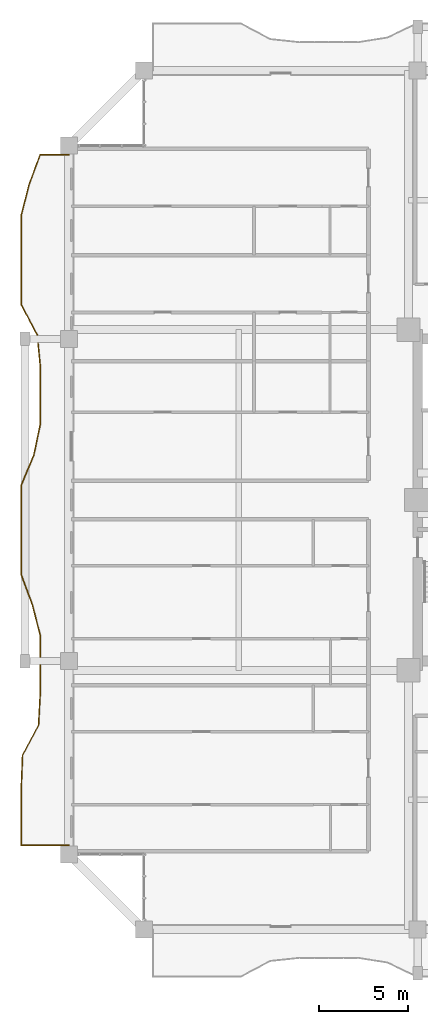
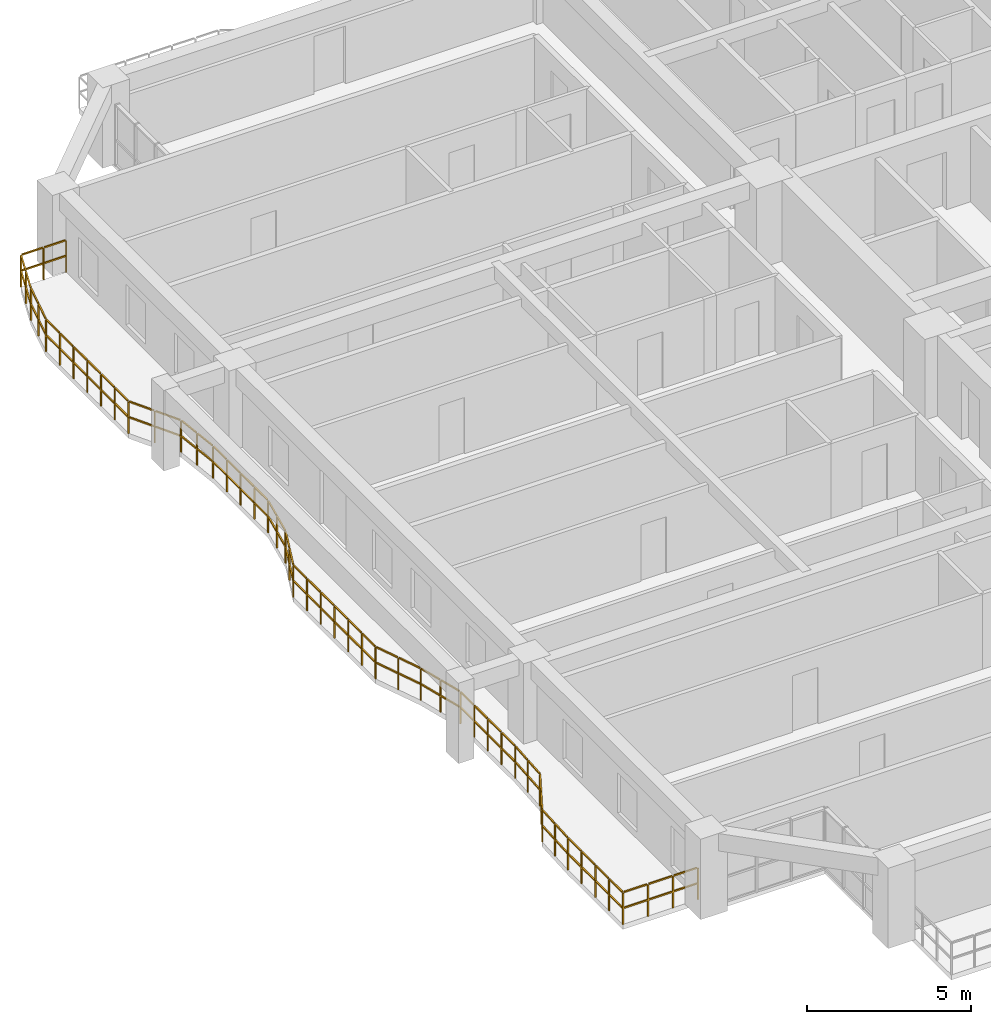
# One storey, part 23 of 26: 1 railing.
"""IFC4 building model written with IfcOpenShell, lengths in metres."""

import ifcopenshell
import ifcopenshell.guid

model = None  # the IFC model being written
_history = None  # IfcOwnerHistory: only IFC2X3 demands one
_inside = {}  # id of a spatial element -> (the spatial element, [elements in it])
_under = {}  # id of a project, library or spatial element -> (it, [spatial elements below it])
_declared = {}  # id of a project -> (the project, [libraries it declares])
_typed = {}  # id of a type object -> (the type object, [elements of that type])
_made_of = {}  # id of a material, layer set ... -> (it, [elements and type objects made of it])


def new_model(schema):
    """Start an empty IFC model of exactly this schema.

    Asked for "IFC4X3", IfcOpenShell would pick the latest addendum, in which some entities
    have other attributes; the version numbers below select the first issue.
    IFC2X3 requires an IfcOwnerHistory on every rooted entity: one is made here for all.
    """
    global model, _history
    if schema == "IFC4X3":
        model = ifcopenshell.file(schema_version=(4, 3, 0, 0))
    else:
        model = ifcopenshell.file(schema=schema)
    _inside.clear()
    _under.clear()
    _declared.clear()
    _typed.clear()
    _made_of.clear()
    _history = None
    if model.schema == "IFC2X3":
        org = make("IfcOrganization", Name="unknown")
        user = make(
            "IfcPersonAndOrganization",
            ThePerson=make("IfcPerson", FamilyName="unknown"),
            TheOrganization=org,
        )
        app = make(
            "IfcApplication",
            ApplicationDeveloper=org,
            Version="unknown",
            ApplicationFullName="unknown",
            ApplicationIdentifier="unknown",
        )
        _history = make(
            "IfcOwnerHistory",
            OwningUser=user,
            OwningApplication=app,
            ChangeAction="ADDED",
            CreationDate=0,
        )
    return model


def make(cls, **values):
    """One entity of the class cls with the attributes given. An attribute that is None is left unset."""
    return model.create_entity(
        cls, **{name: value for name, value in values.items() if value is not None}
    )


def rooted(cls, **values):
    """An entity with a GlobalId (a new one), such as an element, a storey or a relation."""
    return make(cls, GlobalId=ifcopenshell.guid.new(), OwnerHistory=_history, **values)


def si_unit(unit_type, name, prefix=None):
    """IfcSIUnit, for example si_unit("LENGTHUNIT", "METRE", prefix="MILLI")."""
    return make("IfcSIUnit", UnitType=unit_type, Prefix=prefix, Name=name)


def assignment(units):
    """IfcUnitAssignment: the units of a project."""
    return None if units is None else make("IfcUnitAssignment", Units=units)


def point(xyz):
    """IfcCartesianPoint."""
    return None if xyz is None else make("IfcCartesianPoint", Coordinates=xyz)


def direction(xyz):
    """IfcDirection."""
    return None if xyz is None else make("IfcDirection", DirectionRatios=xyz)


def frame(location, z_axis=None, x_axis=None):
    """IfcAxis2Placement3D, a coordinate frame: its origin and axes. An axis left out is left unset."""
    return make(
        "IfcAxis2Placement3D",
        Location=point(location),
        Axis=direction(z_axis),
        RefDirection=direction(x_axis),
    )


def frame_2d(location, x_axis=None):
    """IfcAxis2Placement2D, a coordinate frame in the plane: its origin and x axis."""
    return make(
        "IfcAxis2Placement2D", Location=point(location), RefDirection=direction(x_axis)
    )


def origin():
    """The frame at (0, 0, 0) with its axes left unset."""
    return frame((0.0, 0.0, 0.0))


def origin_2d():
    """The frame at (0, 0) in the plane with its x axis left unset."""
    return frame_2d((0.0, 0.0))


def place(relative_to, where):
    """IfcLocalPlacement: puts the frame where relative to a parent placement (None: the world)."""
    return make(
        "IfcLocalPlacement", PlacementRelTo=relative_to, RelativePlacement=where
    )


def context(
    kind, dimensions, precision=None, world=None, true_north=None, identifier=None
):
    """IfcGeometricRepresentationContext, for example the 3D "Model" context."""
    return make(
        "IfcGeometricRepresentationContext",
        ContextIdentifier=identifier,
        ContextType=kind,
        CoordinateSpaceDimension=dimensions,
        Precision=precision,
        WorldCoordinateSystem=world,
        TrueNorth=true_north,
    )


def subcontext(parent, identifier, kind, view, scale=None):
    """IfcGeometricRepresentationSubContext, for example "Body" below "Model"."""
    return make(
        "IfcGeometricRepresentationSubContext",
        ContextIdentifier=identifier,
        ContextType=kind,
        ParentContext=parent,
        TargetScale=scale,
        TargetView=view,
    )


def project(units=None, contexts=None):
    """IfcProject with its units and contexts."""
    return rooted(
        "IfcProject",
        Name="project",
        RepresentationContexts=contexts,
        UnitsInContext=assignment(units),
    )


def spatial(cls, under=None, at=None, **own):
    """A site, building, storey or space (cls), placed at a placement, below another one or the project."""
    s = rooted(cls, ObjectPlacement=at, **own)
    if under is not None:
        _under.setdefault(under.id(), (under, []))[1].append(s)
    return s


def profile(cls, at=None, kind="AREA", **sizes):
    """A parametric profile (cls). Its sizes go by their IFC names, for example OverallWidth=200.0."""
    return make(cls, ProfileType=kind, Position=at, **sizes)


def rectangle(**sizes):
    """IfcRectangleProfileDef."""
    return profile("IfcRectangleProfileDef", **sizes)


def extrude(swept, where, along, depth):
    """IfcExtrudedAreaSolid: the profile swept, set in the frame where, extruded along a direction by depth."""
    return make(
        "IfcExtrudedAreaSolid",
        SweptArea=swept,
        Position=where,
        ExtrudedDirection=direction(along),
        Depth=depth,
    )


def shape(context_of_items, identifier, shape_type, items):
    """IfcShapeRepresentation: the items that make up one representation, for example the "Body"."""
    return make(
        "IfcShapeRepresentation",
        ContextOfItems=context_of_items,
        RepresentationIdentifier=identifier,
        RepresentationType=shape_type,
        Items=items,
    )


def material(Name=None, Category=None):
    """IfcMaterial."""
    return make("IfcMaterial", Name=Name, Category=Category)


def made_of(thing, what):
    """Note that an element or type object is made of a material, layer set ...; save() writes the relation."""
    if what is not None:
        _made_of.setdefault(what.id(), (what, []))[1].append(thing)
    return thing


def type_object(cls, material=None, **own):
    """A type object (cls), such as IfcWallType, which elements share."""
    return made_of(rooted(cls, **own), material)


def element(
    cls,
    number,
    at=None,
    inside=None,
    cuts=None,
    type_object=None,
    material=None,
    context=None,
    identifier="Body",
    shape_type=None,
    held_by="IfcProductDefinitionShape",
    body=None,
    shapes=None,
    **own,
):
    """One element of the class cls, such as IfcWall. Its Tag is "e" and its number.

    at: its placement. inside: the storey or other place that contains it. cuts: it is an
    opening in that element (IfcRelVoidsElement). A single representation is given by context,
    identifier, shape_type and body (its items); several are given by shapes. held_by: the class
    of the entity that holds the representations. save() writes the other relations.
    """
    e = rooted(cls, Tag="e%d" % number, ObjectPlacement=at, **own)
    if body is not None:
        shapes = [shape(context, identifier, shape_type, body)]
    if shapes is not None:
        e.Representation = make(held_by, Representations=shapes)
    if inside is not None:
        _inside.setdefault(inside.id(), (inside, []))[1].append(e)
    if cuts is not None:
        rooted(
            "IfcRelVoidsElement", RelatingBuildingElement=cuts, RelatedOpeningElement=e
        )
    if type_object is not None:
        _typed.setdefault(type_object.id(), (type_object, []))[1].append(e)
    return made_of(e, material)


def aggregate(whole, parts):
    """IfcRelAggregates: a whole, such as a stair, and the parts it consists of."""
    return rooted("IfcRelAggregates", RelatingObject=whole, RelatedObjects=parts)


def save(model, path):
    """Write the relations noted so far, then the file.

    IfcRelAggregates (storeys below a building ...), IfcRelContainedInSpatialStructure (elements
    in a storey), IfcRelDefinesByType, IfcRelAssociatesMaterial and IfcRelDeclares: one each for
    every whole, place, type object, material and project.
    """
    for whole, parts in _under.values():
        aggregate(whole, parts)
    for where, things in _inside.values():
        rooted(
            "IfcRelContainedInSpatialStructure",
            RelatedElements=things,
            RelatingStructure=where,
        )
    for kind, things in _typed.values():
        rooted("IfcRelDefinesByType", RelatedObjects=things, RelatingType=kind)
    for what, things in _made_of.values():
        rooted("IfcRelAssociatesMaterial", RelatedObjects=things, RelatingMaterial=what)
    for by, libraries in _declared.values():
        rooted("IfcRelDeclares", RelatingContext=by, RelatedDefinitions=libraries)
    model.write(path)


model = new_model("IFC4")

# Units and contexts
model_context = context("Model", 3, precision=1e-05, world=origin(), true_north=direction((0.0, 1.0)))
body_context = subcontext(model_context, "Body", "Model", "MODEL_VIEW")
ifc_project = project(units=[si_unit("LENGTHUNIT", "METRE"), si_unit("AREAUNIT", "SQUARE_METRE"), si_unit("VOLUMEUNIT", "CUBIC_METRE"), si_unit("PLANEANGLEUNIT", "RADIAN"), si_unit("MASSUNIT", "GRAM", prefix="KILO")], contexts=[model_context])

# Site, building, storey
site_placement = place(None, origin())
site = spatial("IfcSite", under=ifc_project, at=site_placement, CompositionType="ELEMENT")
building_placement = place(site_placement, origin())
building = spatial("IfcBuilding", under=site, at=building_placement, Name="Saelheon Loggia Tower", CompositionType="ELEMENT")
storey_placement = place(building_placement, frame((0.0, 0.0, 116.85009765625)))
storey = spatial("IfcBuildingStorey", under=building, at=storey_placement, Name="L37", CompositionType="ELEMENT", Elevation=116.85009765625)

# Railing
ifc_material = material(Name="Architectural Precast Concrete and Laminated Glass Guard", Category="concrete")
railing_type = type_object("IfcRailingType", Name="Guard_Loggia_RL_LOG", PredefinedType="BALUSTRADE", material=ifc_material)
railing_placement = place(storey_placement, frame((12.0, 46.300048828125, 0.0)))
element("IfcRailing", 1, at=railing_placement, inside=storey, type_object=railing_type, Name="L37 West Loggia Balustrade", PredefinedType="BALUSTRADE", context=body_context, shape_type="SweptSolid", body=[
    extrude(rectangle(XDim=0.048095703125, YDim=0.048095703125, at=origin_2d()), frame((-0.033203125, 0.0, 1.19580078125), z_axis=(-1.0, 0.0, 0.0), x_axis=(0.0, -1.0, 0.0)), (0.0, 0.0, 1.0), 0.733642578125),
    extrude(rectangle(XDim=0.048095703125, YDim=0.048095703125, at=origin_2d()), frame((-0.033203125, 0.0, 0.60986328125), z_axis=(-1.0, 0.0, 0.0), x_axis=(0.0, -1.0, 0.0)), (0.0, 0.0, 1.0), 0.733642578125),
    extrude(rectangle(XDim=0.048095703125, YDim=0.048095703125, at=origin_2d()), frame((-0.833251953125, 0.0, 1.19580078125), z_axis=(-1.0, 0.0, 0.0), x_axis=(0.0, -1.0, 0.0)), (0.0, 0.0, 1.0), 0.733642578125),
    extrude(rectangle(XDim=0.048095703125, YDim=0.048095703125, at=origin_2d()), frame((-0.833251953125, 0.0, 0.60986328125), z_axis=(-1.0, 0.0, 0.0), x_axis=(0.0, -1.0, 0.0)), (0.0, 0.0, 1.0), 0.733642578125),
    extrude(rectangle(XDim=0.048095703125, YDim=0.048095703125, at=origin_2d()), frame((-1.611572265625, -0.03125, 1.19580078125), z_axis=(-0.346318659518, -0.938116936245, 0.0), x_axis=(0.938116936245, -0.346318659518, 0.0)), (0.0, 0.0, 1.0), 0.828125),
    extrude(rectangle(XDim=0.048095703125, YDim=0.048095703125, at=origin_2d()), frame((-1.611572265625, -0.03125, 0.60986328125), z_axis=(-0.346318659518, -0.938116936245, 0.0), x_axis=(0.938116936245, -0.346318659518, 0.0)), (0.0, 0.0, 1.0), 0.828125),
    extrude(rectangle(XDim=0.048095703125, YDim=0.048095703125, at=origin_2d()), frame((-1.92138671875, -0.870361328125, 1.19580078125), z_axis=(-0.346318659518, -0.938116936245, 0.0), x_axis=(0.938116936245, -0.346318659518, 0.0)), (0.0, 0.0, 1.0), 0.828125),
    extrude(rectangle(XDim=0.048095703125, YDim=0.048095703125, at=origin_2d()), frame((-1.92138671875, -0.870361328125, 0.60986328125), z_axis=(-0.346318659518, -0.938116936245, 0.0), x_axis=(0.938116936245, -0.346318659518, 0.0)), (0.0, 0.0, 1.0), 0.828125),
    extrude(rectangle(XDim=0.048095703125, YDim=0.048095703125, at=origin_2d()), frame((-2.22802734375, -1.710693359375, 1.19580078125), z_axis=(-0.248334659432, -0.968674298681, 0.0), x_axis=(0.968674298681, -0.248334659432, 0.0)), (0.0, 0.0, 1.0), 0.799560546875),
    extrude(rectangle(XDim=0.048095703125, YDim=0.048095703125, at=origin_2d()), frame((-2.22802734375, -1.710693359375, 0.60986328125), z_axis=(-0.248334659432, -0.968674298681, 0.0), x_axis=(0.968674298681, -0.248334659432, 0.0)), (0.0, 0.0, 1.0), 0.799560546875),
    extrude(rectangle(XDim=0.048095703125, YDim=0.048095703125, at=origin_2d()), frame((-2.443115234375, -2.549560546875, 1.19580078125), z_axis=(-0.248334659432, -0.968674298681, 0.0), x_axis=(0.968674298681, -0.248334659432, 0.0)), (0.0, 0.0, 1.0), 0.799560546875),
    extrude(rectangle(XDim=0.048095703125, YDim=0.048095703125, at=origin_2d()), frame((-2.443115234375, -2.549560546875, 0.60986328125), z_axis=(-0.248334659432, -0.968674298681, 0.0), x_axis=(0.968674298681, -0.248334659432, 0.0)), (0.0, 0.0, 1.0), 0.799560546875),
    extrude(rectangle(XDim=0.048095703125, YDim=0.048095703125, at=origin_2d()), frame((-2.64990234375, -3.3896484375, 1.19580078125), z_axis=(0.0, -1.0, 0.0), x_axis=(1.0, 0.0, 0.0)), (0.0, 0.0, 1.0), 0.772705078125),
    extrude(rectangle(XDim=0.048095703125, YDim=0.048095703125, at=origin_2d()), frame((-2.64990234375, -3.3896484375, 0.60986328125), z_axis=(0.0, -1.0, 0.0), x_axis=(1.0, 0.0, 0.0)), (0.0, 0.0, 1.0), 0.772705078125),
    extrude(rectangle(XDim=0.048095703125, YDim=0.048095703125, at=origin_2d()), frame((-2.64990234375, -4.22900390625, 1.19580078125), z_axis=(0.0, -1.0, 0.0), x_axis=(1.0, 0.0, 0.0)), (0.0, 0.0, 1.0), 0.772705078125),
    extrude(rectangle(XDim=0.048095703125, YDim=0.048095703125, at=origin_2d()), frame((-2.64990234375, -4.22900390625, 0.60986328125), z_axis=(0.0, -1.0, 0.0), x_axis=(1.0, 0.0, 0.0)), (0.0, 0.0, 1.0), 0.772705078125),
    extrude(rectangle(XDim=0.048095703125, YDim=0.048095703125, at=origin_2d()), frame((-2.64990234375, -5.068115234375, 1.19580078125), z_axis=(0.0, -1.0, 0.0), x_axis=(1.0, 0.0, 0.0)), (0.0, 0.0, 1.0), 0.772705078125),
    extrude(rectangle(XDim=0.048095703125, YDim=0.048095703125, at=origin_2d()), frame((-2.64990234375, -5.068115234375, 0.60986328125), z_axis=(0.0, -1.0, 0.0), x_axis=(1.0, 0.0, 0.0)), (0.0, 0.0, 1.0), 0.772705078125),
    extrude(rectangle(XDim=0.048095703125, YDim=0.048095703125, at=origin_2d()), frame((-2.64990234375, -5.9072265625, 1.19580078125), z_axis=(0.0, -1.0, 0.0), x_axis=(1.0, 0.0, 0.0)), (0.0, 0.0, 1.0), 0.772705078125),
    extrude(rectangle(XDim=0.048095703125, YDim=0.048095703125, at=origin_2d()), frame((-2.64990234375, -5.9072265625, 0.60986328125), z_axis=(0.0, -1.0, 0.0), x_axis=(1.0, 0.0, 0.0)), (0.0, 0.0, 1.0), 0.772705078125),
    extrude(rectangle(XDim=0.048095703125, YDim=0.048095703125, at=origin_2d()), frame((-2.64990234375, -6.746337890625, 1.19580078125), z_axis=(0.0, -1.0, 0.0), x_axis=(1.0, 0.0, 0.0)), (0.0, 0.0, 1.0), 0.772705078125),
    extrude(rectangle(XDim=0.048095703125, YDim=0.048095703125, at=origin_2d()), frame((-2.64990234375, -6.746337890625, 0.60986328125), z_axis=(0.0, -1.0, 0.0), x_axis=(1.0, 0.0, 0.0)), (0.0, 0.0, 1.0), 0.772705078125),
    extrude(rectangle(XDim=0.048095703125, YDim=0.048095703125, at=origin_2d()), frame((-2.64990234375, -7.58544921875, 1.19580078125), z_axis=(0.0, -1.0, 0.0), x_axis=(1.0, 0.0, 0.0)), (0.0, 0.0, 1.0), 0.772705078125),
    extrude(rectangle(XDim=0.048095703125, YDim=0.048095703125, at=origin_2d()), frame((-2.64990234375, -7.58544921875, 0.60986328125), z_axis=(0.0, -1.0, 0.0), x_axis=(1.0, 0.0, 0.0)), (0.0, 0.0, 1.0), 0.772705078125),
    extrude(rectangle(XDim=0.048095703125, YDim=0.048095703125, at=origin_2d()), frame((-2.63427734375, -8.420654296875, 1.19580078125), z_axis=(0.466764209915, -0.884381802358, 0.0), x_axis=(0.884381802358, 0.466764209915, 0.0)), (0.0, 0.0, 1.0), 0.88232421875),
    extrude(rectangle(XDim=0.048095703125, YDim=0.048095703125, at=origin_2d()), frame((-2.63427734375, -8.420654296875, 0.60986328125), z_axis=(0.466764209915, -0.884381802358, 0.0), x_axis=(0.884381802358, 0.466764209915, 0.0)), (0.0, 0.0, 1.0), 0.88232421875),
    extrude(rectangle(XDim=0.048095703125, YDim=0.048095703125, at=origin_2d()), frame((-2.19140625, -9.259765625, 1.19580078125), z_axis=(0.466764209915, -0.884381802358, 0.0), x_axis=(0.884381802358, 0.466764209915, 0.0)), (0.0, 0.0, 1.0), 0.88232421875),
    extrude(rectangle(XDim=0.048095703125, YDim=0.048095703125, at=origin_2d()), frame((-2.19140625, -9.259765625, 0.60986328125), z_axis=(0.466764209915, -0.884381802358, 0.0), x_axis=(0.884381802358, 0.466764209915, 0.0)), (0.0, 0.0, 1.0), 0.88232421875),
    extrude(rectangle(XDim=0.048095703125, YDim=0.048095703125, at=origin_2d()), frame((-1.760986328125, -10.1025390625, 1.19580078125), z_axis=(0.097295853683, -0.995255503304, 0.0), x_axis=(0.995255503304, 0.097295853683, 0.0)), (0.0, 0.0, 1.0), 0.776611328125),
    extrude(rectangle(XDim=0.048095703125, YDim=0.048095703125, at=origin_2d()), frame((-1.760986328125, -10.1025390625, 0.60986328125), z_axis=(0.097295853683, -0.995255503304, 0.0), x_axis=(0.995255503304, 0.097295853683, 0.0)), (0.0, 0.0, 1.0), 0.776611328125),
    extrude(rectangle(XDim=0.048095703125, YDim=0.048095703125, at=origin_2d()), frame((-1.678955078125, -10.941650390625, 1.19580078125), z_axis=(0.097295853683, -0.995255503304, 0.0), x_axis=(0.995255503304, 0.097295853683, 0.0)), (0.0, 0.0, 1.0), 0.776611328125),
    extrude(rectangle(XDim=0.048095703125, YDim=0.048095703125, at=origin_2d()), frame((-1.678955078125, -10.941650390625, 0.60986328125), z_axis=(0.097295853683, -0.995255503304, 0.0), x_axis=(0.995255503304, 0.097295853683, 0.0)), (0.0, 0.0, 1.0), 0.776611328125),
    extrude(rectangle(XDim=0.048095703125, YDim=0.048095703125, at=origin_2d()), frame((-1.60009765625, -11.781005859375, 1.19580078125), z_axis=(0.0, -1.0, 0.0), x_axis=(1.0, 0.0, 0.0)), (0.0, 0.0, 1.0), 0.772705078125),
    extrude(rectangle(XDim=0.048095703125, YDim=0.048095703125, at=origin_2d()), frame((-1.60009765625, -11.781005859375, 0.60986328125), z_axis=(0.0, -1.0, 0.0), x_axis=(1.0, 0.0, 0.0)), (0.0, 0.0, 1.0), 0.772705078125),
    extrude(rectangle(XDim=0.048095703125, YDim=0.048095703125, at=origin_2d()), frame((-1.60009765625, -12.620361328125, 1.19580078125), z_axis=(0.0, -1.0, 0.0), x_axis=(1.0, 0.0, 0.0)), (0.0, 0.0, 1.0), 0.772705078125),
    extrude(rectangle(XDim=0.048095703125, YDim=0.048095703125, at=origin_2d()), frame((-1.60009765625, -12.620361328125, 0.60986328125), z_axis=(0.0, -1.0, 0.0), x_axis=(1.0, 0.0, 0.0)), (0.0, 0.0, 1.0), 0.772705078125),
    extrude(rectangle(XDim=0.048095703125, YDim=0.048095703125, at=origin_2d()), frame((-1.60009765625, -13.45947265625, 1.19580078125), z_axis=(0.0, -1.0, 0.0), x_axis=(1.0, 0.0, 0.0)), (0.0, 0.0, 1.0), 0.7724609375),
    extrude(rectangle(XDim=0.048095703125, YDim=0.048095703125, at=origin_2d()), frame((-1.60009765625, -13.45947265625, 0.60986328125), z_axis=(0.0, -1.0, 0.0), x_axis=(1.0, 0.0, 0.0)), (0.0, 0.0, 1.0), 0.7724609375),
    extrude(rectangle(XDim=0.048095703125, YDim=0.048095703125, at=origin_2d()), frame((-1.60009765625, -14.298583984375, 1.19580078125), z_axis=(0.0, -1.0, 0.0), x_axis=(1.0, 0.0, 0.0)), (0.0, 0.0, 1.0), 0.7724609375),
    extrude(rectangle(XDim=0.048095703125, YDim=0.048095703125, at=origin_2d()), frame((-1.60009765625, -14.298583984375, 0.60986328125), z_axis=(0.0, -1.0, 0.0), x_axis=(1.0, 0.0, 0.0)), (0.0, 0.0, 1.0), 0.7724609375),
    extrude(rectangle(XDim=0.048095703125, YDim=0.048095703125, at=origin_2d()), frame((-1.60693359375, -15.13671875, 1.19580078125), z_axis=(-0.204596686386, -0.978846359711, 0.0), x_axis=(0.978846359711, -0.204596686386, 0.0)), (0.0, 0.0, 1.0), 0.791015625),
    extrude(rectangle(XDim=0.048095703125, YDim=0.048095703125, at=origin_2d()), frame((-1.60693359375, -15.13671875, 0.60986328125), z_axis=(-0.204596686386, -0.978846359711, 0.0), x_axis=(0.978846359711, -0.204596686386, 0.0)), (0.0, 0.0, 1.0), 0.791015625),
    extrude(rectangle(XDim=0.048095703125, YDim=0.048095703125, at=origin_2d()), frame((-1.7822265625, -15.97607421875, 1.19580078125), z_axis=(-0.204596686386, -0.978846359711, 0.0), x_axis=(0.978846359711, -0.204596686386, 0.0)), (0.0, 0.0, 1.0), 0.791015625),
    extrude(rectangle(XDim=0.048095703125, YDim=0.048095703125, at=origin_2d()), frame((-1.7822265625, -15.97607421875, 0.60986328125), z_axis=(-0.204596686386, -0.978846359711, 0.0), x_axis=(0.978846359711, -0.204596686386, 0.0)), (0.0, 0.0, 1.0), 0.791015625),
    extrude(rectangle(XDim=0.048095703125, YDim=0.048095703125, at=origin_2d()), frame((-1.963623046875, -16.8134765625, 1.19580078125), z_axis=(-0.384481881871, -0.923132537891, 0.0), x_axis=(0.923132537891, -0.384481881871, 0.0)), (0.0, 0.0, 1.0), 0.842529296875),
    extrude(rectangle(XDim=0.048095703125, YDim=0.048095703125, at=origin_2d()), frame((-1.963623046875, -16.8134765625, 0.60986328125), z_axis=(-0.384481881871, -0.923132537891, 0.0), x_axis=(0.923132537891, -0.384481881871, 0.0)), (0.0, 0.0, 1.0), 0.842529296875),
    extrude(rectangle(XDim=0.048095703125, YDim=0.048095703125, at=origin_2d()), frame((-2.313232421875, -17.652587890625, 1.19580078125), z_axis=(-0.384481881871, -0.923132537891, 0.0), x_axis=(0.923132537891, -0.384481881871, 0.0)), (0.0, 0.0, 1.0), 0.842529296875),
    extrude(rectangle(XDim=0.048095703125, YDim=0.048095703125, at=origin_2d()), frame((-2.313232421875, -17.652587890625, 0.60986328125), z_axis=(-0.384481881871, -0.923132537891, 0.0), x_axis=(0.923132537891, -0.384481881871, 0.0)), (0.0, 0.0, 1.0), 0.842529296875),
    extrude(rectangle(XDim=0.048095703125, YDim=0.048095703125, at=origin_2d()), frame((-2.64990234375, -18.494140625, 1.19580078125), z_axis=(0.0, -1.0, 0.0), x_axis=(1.0, 0.0, 0.0)), (0.0, 0.0, 1.0), 0.772705078125),
    extrude(rectangle(XDim=0.048095703125, YDim=0.048095703125, at=origin_2d()), frame((-2.64990234375, -18.494140625, 0.60986328125), z_axis=(0.0, -1.0, 0.0), x_axis=(1.0, 0.0, 0.0)), (0.0, 0.0, 1.0), 0.772705078125),
    extrude(rectangle(XDim=0.048095703125, YDim=0.048095703125, at=origin_2d()), frame((-2.64990234375, -19.333251953125, 1.19580078125), z_axis=(0.0, -1.0, 0.0), x_axis=(1.0, 0.0, 0.0)), (0.0, 0.0, 1.0), 0.772705078125),
    extrude(rectangle(XDim=0.048095703125, YDim=0.048095703125, at=origin_2d()), frame((-2.64990234375, -19.333251953125, 0.60986328125), z_axis=(0.0, -1.0, 0.0), x_axis=(1.0, 0.0, 0.0)), (0.0, 0.0, 1.0), 0.772705078125),
    extrude(rectangle(XDim=0.048095703125, YDim=0.048095703125, at=origin_2d()), frame((-2.64990234375, -20.17236328125, 1.19580078125), z_axis=(0.0, -1.0, 0.0), x_axis=(1.0, 0.0, 0.0)), (0.0, 0.0, 1.0), 0.772705078125),
    extrude(rectangle(XDim=0.048095703125, YDim=0.048095703125, at=origin_2d()), frame((-2.64990234375, -20.17236328125, 0.60986328125), z_axis=(0.0, -1.0, 0.0), x_axis=(1.0, 0.0, 0.0)), (0.0, 0.0, 1.0), 0.772705078125),
    extrude(rectangle(XDim=0.048095703125, YDim=0.048095703125, at=origin_2d()), frame((-2.64990234375, -21.011474609375, 1.19580078125), z_axis=(0.0, -1.0, 0.0), x_axis=(1.0, 0.0, 0.0)), (0.0, 0.0, 1.0), 0.772705078125),
    extrude(rectangle(XDim=0.048095703125, YDim=0.048095703125, at=origin_2d()), frame((-2.64990234375, -21.011474609375, 0.60986328125), z_axis=(0.0, -1.0, 0.0), x_axis=(1.0, 0.0, 0.0)), (0.0, 0.0, 1.0), 0.772705078125),
    extrude(rectangle(XDim=0.048095703125, YDim=0.048095703125, at=origin_2d()), frame((-2.64990234375, -21.8505859375, 1.19580078125), z_axis=(0.0, -1.0, 0.0), x_axis=(1.0, 0.0, 0.0)), (0.0, 0.0, 1.0), 0.772705078125),
    extrude(rectangle(XDim=0.048095703125, YDim=0.048095703125, at=origin_2d()), frame((-2.64990234375, -21.8505859375, 0.60986328125), z_axis=(0.0, -1.0, 0.0), x_axis=(1.0, 0.0, 0.0)), (0.0, 0.0, 1.0), 0.772705078125),
    extrude(rectangle(XDim=0.048095703125, YDim=0.048095703125, at=origin_2d()), frame((-2.64990234375, -22.68994140625, 1.19580078125), z_axis=(0.0, -1.0, 0.0), x_axis=(1.0, 0.0, 0.0)), (0.0, 0.0, 1.0), 0.772705078125),
    extrude(rectangle(XDim=0.048095703125, YDim=0.048095703125, at=origin_2d()), frame((-2.64990234375, -22.68994140625, 0.60986328125), z_axis=(0.0, -1.0, 0.0), x_axis=(1.0, 0.0, 0.0)), (0.0, 0.0, 1.0), 0.772705078125),
    extrude(rectangle(XDim=0.048095703125, YDim=0.048095703125, at=origin_2d()), frame((-2.638427734375, -23.527099609375, 1.19580078125), z_axis=(0.347367679111, -0.937729009634, 0.0), x_axis=(0.937729009634, 0.347367679111, 0.0)), (0.0, 0.0, 1.0), 0.828125),
    extrude(rectangle(XDim=0.048095703125, YDim=0.048095703125, at=origin_2d()), frame((-2.638427734375, -23.527099609375, 0.60986328125), z_axis=(0.347367679111, -0.937729009634, 0.0), x_axis=(0.937729009634, 0.347367679111, 0.0)), (0.0, 0.0, 1.0), 0.828125),
    extrude(rectangle(XDim=0.048095703125, YDim=0.048095703125, at=origin_2d()), frame((-2.32763671875, -24.365966796875, 1.19580078125), z_axis=(0.347367679111, -0.937729009634, 0.0), x_axis=(0.937729009634, 0.347367679111, 0.0)), (0.0, 0.0, 1.0), 0.828125),
    extrude(rectangle(XDim=0.048095703125, YDim=0.048095703125, at=origin_2d()), frame((-2.32763671875, -24.365966796875, 0.60986328125), z_axis=(0.347367679111, -0.937729009634, 0.0), x_axis=(0.937729009634, 0.347367679111, 0.0)), (0.0, 0.0, 1.0), 0.828125),
    extrude(rectangle(XDim=0.048095703125, YDim=0.048095703125, at=origin_2d()), frame((-2.02001953125, -25.2060546875, 1.19580078125), z_axis=(0.247208698516, -0.968962259006, 0.0), x_axis=(0.968962259006, 0.247208698516, 0.0)), (0.0, 0.0, 1.0), 0.799560546875),
    extrude(rectangle(XDim=0.048095703125, YDim=0.048095703125, at=origin_2d()), frame((-2.02001953125, -25.2060546875, 0.60986328125), z_axis=(0.247208698516, -0.968962259006, 0.0), x_axis=(0.968962259006, 0.247208698516, 0.0)), (0.0, 0.0, 1.0), 0.799560546875),
    extrude(rectangle(XDim=0.048095703125, YDim=0.048095703125, at=origin_2d()), frame((-1.805908203125, -26.045166015625, 1.19580078125), z_axis=(0.247208698516, -0.968962259006, 0.0), x_axis=(0.968962259006, 0.247208698516, 0.0)), (0.0, 0.0, 1.0), 0.799560546875),
    extrude(rectangle(XDim=0.048095703125, YDim=0.048095703125, at=origin_2d()), frame((-1.805908203125, -26.045166015625, 0.60986328125), z_axis=(0.247208698516, -0.968962259006, 0.0), x_axis=(0.968962259006, 0.247208698516, 0.0)), (0.0, 0.0, 1.0), 0.799560546875),
    extrude(rectangle(XDim=0.048095703125, YDim=0.048095703125, at=origin_2d()), frame((-1.60009765625, -26.885498046875, 1.19580078125), z_axis=(0.0, -1.0, 0.0), x_axis=(1.0, 0.0, 0.0)), (0.0, 0.0, 1.0), 0.772705078125),
    extrude(rectangle(XDim=0.048095703125, YDim=0.048095703125, at=origin_2d()), frame((-1.60009765625, -26.885498046875, 0.60986328125), z_axis=(0.0, -1.0, 0.0), x_axis=(1.0, 0.0, 0.0)), (0.0, 0.0, 1.0), 0.772705078125),
    extrude(rectangle(XDim=0.048095703125, YDim=0.048095703125, at=origin_2d()), frame((-1.60009765625, -27.724609375, 1.19580078125), z_axis=(0.0, -1.0, 0.0), x_axis=(1.0, 0.0, 0.0)), (0.0, 0.0, 1.0), 0.772705078125),
    extrude(rectangle(XDim=0.048095703125, YDim=0.048095703125, at=origin_2d()), frame((-1.60009765625, -27.724609375, 0.60986328125), z_axis=(0.0, -1.0, 0.0), x_axis=(1.0, 0.0, 0.0)), (0.0, 0.0, 1.0), 0.772705078125),
    extrude(rectangle(XDim=0.048095703125, YDim=0.048095703125, at=origin_2d()), frame((-1.60009765625, -28.563720703125, 1.19580078125), z_axis=(0.0, -1.0, 0.0), x_axis=(1.0, 0.0, 0.0)), (0.0, 0.0, 1.0), 0.772705078125),
    extrude(rectangle(XDim=0.048095703125, YDim=0.048095703125, at=origin_2d()), frame((-1.60009765625, -28.563720703125, 0.60986328125), z_axis=(0.0, -1.0, 0.0), x_axis=(1.0, 0.0, 0.0)), (0.0, 0.0, 1.0), 0.772705078125),
    extrude(rectangle(XDim=0.048095703125, YDim=0.048095703125, at=origin_2d()), frame((-1.60009765625, -29.40283203125, 1.19580078125), z_axis=(0.0, -1.0, 0.0), x_axis=(1.0, 0.0, 0.0)), (0.0, 0.0, 1.0), 0.772705078125),
    extrude(rectangle(XDim=0.048095703125, YDim=0.048095703125, at=origin_2d()), frame((-1.60009765625, -29.40283203125, 0.60986328125), z_axis=(0.0, -1.0, 0.0), x_axis=(1.0, 0.0, 0.0)), (0.0, 0.0, 1.0), 0.772705078125),
    extrude(rectangle(XDim=0.048095703125, YDim=0.048095703125, at=origin_2d()), frame((-1.601806640625, -30.241943359375, 1.19580078125), z_axis=(-0.053603359192, -0.99856230646, 0.0), x_axis=(0.99856230646, -0.053603359192, 0.0)), (0.0, 0.0, 1.0), 0.77392578125),
    extrude(rectangle(XDim=0.048095703125, YDim=0.048095703125, at=origin_2d()), frame((-1.601806640625, -30.241943359375, 0.60986328125), z_axis=(-0.053603359192, -0.99856230646, 0.0), x_axis=(0.99856230646, -0.053603359192, 0.0)), (0.0, 0.0, 1.0), 0.77392578125),
    extrude(rectangle(XDim=0.048095703125, YDim=0.048095703125, at=origin_2d()), frame((-1.64697265625, -31.0810546875, 1.19580078125), z_axis=(-0.053603359192, -0.99856230646, 0.0), x_axis=(0.99856230646, -0.053603359192, 0.0)), (0.0, 0.0, 1.0), 0.77392578125),
    extrude(rectangle(XDim=0.048095703125, YDim=0.048095703125, at=origin_2d()), frame((-1.64697265625, -31.0810546875, 0.60986328125), z_axis=(-0.053603359192, -0.99856230646, 0.0), x_axis=(0.99856230646, -0.053603359192, 0.0)), (0.0, 0.0, 1.0), 0.77392578125),
    extrude(rectangle(XDim=0.048095703125, YDim=0.048095703125, at=origin_2d()), frame((-1.705810546875, -31.916259765625, 1.19580078125), z_axis=(-0.470574910471, -0.88236004762, 0.0), x_axis=(0.88236004762, -0.470574910471, 0.0)), (0.0, 0.0, 1.0), 0.884521484375),
    extrude(rectangle(XDim=0.048095703125, YDim=0.048095703125, at=origin_2d()), frame((-1.705810546875, -31.916259765625, 0.60986328125), z_axis=(-0.470574910471, -0.88236004762, 0.0), x_axis=(0.88236004762, -0.470574910471, 0.0)), (0.0, 0.0, 1.0), 0.884521484375),
    extrude(rectangle(XDim=0.048095703125, YDim=0.048095703125, at=origin_2d()), frame((-2.1533203125, -32.75537109375, 1.19580078125), z_axis=(-0.470574910471, -0.88236004762, 0.0), x_axis=(0.88236004762, -0.470574910471, 0.0)), (0.0, 0.0, 1.0), 0.884521484375),
    extrude(rectangle(XDim=0.048095703125, YDim=0.048095703125, at=origin_2d()), frame((-2.1533203125, -32.75537109375, 0.60986328125), z_axis=(-0.470574910471, -0.88236004762, 0.0), x_axis=(0.88236004762, -0.470574910471, 0.0)), (0.0, 0.0, 1.0), 0.884521484375),
    extrude(rectangle(XDim=0.048095703125, YDim=0.048095703125, at=origin_2d()), frame((-2.58642578125, -33.598388671875, 1.19580078125), z_axis=(-0.038516851919, -0.999257950741, 0.0), x_axis=(0.999257950741, -0.038516851919, 0.0)), (0.0, 0.0, 1.0), 0.7734375),
    extrude(rectangle(XDim=0.048095703125, YDim=0.048095703125, at=origin_2d()), frame((-2.58642578125, -33.598388671875, 0.60986328125), z_axis=(-0.038516851919, -0.999257950741, 0.0), x_axis=(0.999257950741, -0.038516851919, 0.0)), (0.0, 0.0, 1.0), 0.7734375),
    extrude(rectangle(XDim=0.048095703125, YDim=0.048095703125, at=origin_2d()), frame((-2.618896484375, -34.437744140625, 1.19580078125), z_axis=(-0.038516851919, -0.999257950741, 0.0), x_axis=(0.999257950741, -0.038516851919, 0.0)), (0.0, 0.0, 1.0), 0.7734375),
    extrude(rectangle(XDim=0.048095703125, YDim=0.048095703125, at=origin_2d()), frame((-2.618896484375, -34.437744140625, 0.60986328125), z_axis=(-0.038516851919, -0.999257950741, 0.0), x_axis=(0.999257950741, -0.038516851919, 0.0)), (0.0, 0.0, 1.0), 0.7734375),
    extrude(rectangle(XDim=0.048095703125, YDim=0.048095703125, at=origin_2d()), frame((-2.64990234375, -35.27685546875, 1.19580078125), z_axis=(0.0, -1.0, 0.0), x_axis=(1.0, 0.0, 0.0)), (0.0, 0.0, 1.0), 0.7724609375),
    extrude(rectangle(XDim=0.048095703125, YDim=0.048095703125, at=origin_2d()), frame((-2.64990234375, -35.27685546875, 0.60986328125), z_axis=(0.0, -1.0, 0.0), x_axis=(1.0, 0.0, 0.0)), (0.0, 0.0, 1.0), 0.7724609375),
    extrude(rectangle(XDim=0.048095703125, YDim=0.048095703125, at=origin_2d()), frame((-2.64990234375, -36.115966796875, 1.19580078125), z_axis=(0.0, -1.0, 0.0), x_axis=(1.0, 0.0, 0.0)), (0.0, 0.0, 1.0), 0.7724609375),
    extrude(rectangle(XDim=0.048095703125, YDim=0.048095703125, at=origin_2d()), frame((-2.64990234375, -36.115966796875, 0.60986328125), z_axis=(0.0, -1.0, 0.0), x_axis=(1.0, 0.0, 0.0)), (0.0, 0.0, 1.0), 0.7724609375),
    extrude(rectangle(XDim=0.048095703125, YDim=0.048095703125, at=origin_2d()), frame((-2.64990234375, -36.954833984375, 1.19580078125), z_axis=(0.0, -1.0, 0.0), x_axis=(1.0, 0.0, 0.0)), (0.0, 0.0, 1.0), 0.772705078125),
    extrude(rectangle(XDim=0.048095703125, YDim=0.048095703125, at=origin_2d()), frame((-2.64990234375, -36.954833984375, 0.60986328125), z_axis=(0.0, -1.0, 0.0), x_axis=(1.0, 0.0, 0.0)), (0.0, 0.0, 1.0), 0.772705078125),
    extrude(rectangle(XDim=0.048095703125, YDim=0.048095703125, at=origin_2d()), frame((-2.64990234375, -37.794189453125, 1.19580078125), z_axis=(0.0, -1.0, 0.0), x_axis=(1.0, 0.0, 0.0)), (0.0, 0.0, 1.0), 0.772705078125),
    extrude(rectangle(XDim=0.048095703125, YDim=0.048095703125, at=origin_2d()), frame((-2.64990234375, -37.794189453125, 0.60986328125), z_axis=(0.0, -1.0, 0.0), x_axis=(1.0, 0.0, 0.0)), (0.0, 0.0, 1.0), 0.772705078125),
    extrude(rectangle(XDim=0.048095703125, YDim=0.048095703125, at=origin_2d()), frame((-2.61669921875, -38.60009765625, 1.19580078125), z_axis=(1.0, 0.0, 0.0), x_axis=(0.0, 1.0, 0.0)), (0.0, 0.0, 1.0), 0.81689453125),
    extrude(rectangle(XDim=0.048095703125, YDim=0.048095703125, at=origin_2d()), frame((-2.61669921875, -38.60009765625, 0.60986328125), z_axis=(1.0, 0.0, 0.0), x_axis=(0.0, 1.0, 0.0)), (0.0, 0.0, 1.0), 0.81689453125),
    extrude(rectangle(XDim=0.048095703125, YDim=0.048095703125, at=origin_2d()), frame((-1.7333984375, -38.60009765625, 1.19580078125), z_axis=(1.0, 0.0, 0.0), x_axis=(0.0, 1.0, 0.0)), (0.0, 0.0, 1.0), 0.81689453125),
    extrude(rectangle(XDim=0.048095703125, YDim=0.048095703125, at=origin_2d()), frame((-1.7333984375, -38.60009765625, 0.60986328125), z_axis=(1.0, 0.0, 0.0), x_axis=(0.0, 1.0, 0.0)), (0.0, 0.0, 1.0), 0.81689453125),
    extrude(rectangle(XDim=0.048095703125, YDim=0.048095703125, at=origin_2d()), frame((-0.85009765625, -38.60009765625, 1.19580078125), z_axis=(1.0, 0.0, 0.0), x_axis=(0.0, 1.0, 0.0)), (0.0, 0.0, 1.0), 0.81689453125),
    extrude(rectangle(XDim=0.048095703125, YDim=0.048095703125, at=origin_2d()), frame((-0.85009765625, -38.60009765625, 0.60986328125), z_axis=(1.0, 0.0, 0.0), x_axis=(0.0, 1.0, 0.0)), (0.0, 0.0, 1.0), 0.81689453125),
    extrude(rectangle(XDim=0.0419921875, YDim=0.0419921875, at=origin_2d()), origin(), (0.0, 0.0, 1.0), 1.16796875),
    extrude(rectangle(XDim=0.0419921875, YDim=0.0419921875, at=origin_2d()), frame((-0.800048828125, 0.0, 0.0)), (0.0, 0.0, 1.0), 1.16796875),
    extrude(rectangle(XDim=0.0419921875, YDim=0.0419921875, at=origin_2d()), frame((-1.60009765625, 0.0, 0.0)), (0.0, 0.0, 1.0), 1.16796875),
    extrude(rectangle(XDim=0.0419921875, YDim=0.0419921875, at=origin_2d()), frame((-1.909912109375, -0.83935546875, 0.0)), (0.0, 0.0, 1.0), 1.16796875),
    extrude(rectangle(XDim=0.0419921875, YDim=0.0419921875, at=origin_2d()), frame((-2.2197265625, -1.678466796875, 0.0)), (0.0, 0.0, 1.0), 1.16796875),
    extrude(rectangle(XDim=0.0419921875, YDim=0.0419921875, at=origin_2d()), frame((-2.434814453125, -2.517578125, 0.0)), (0.0, 0.0, 1.0), 1.16796875),
    extrude(rectangle(XDim=0.0419921875, YDim=0.0419921875, at=origin_2d()), frame((-2.64990234375, -3.3564453125, 0.0)), (0.0, 0.0, 1.0), 1.16796875),
    extrude(rectangle(XDim=0.0419921875, YDim=0.0419921875, at=origin_2d()), frame((-2.64990234375, -4.19580078125, 0.0)), (0.0, 0.0, 1.0), 1.16796875),
    extrude(rectangle(XDim=0.0419921875, YDim=0.0419921875, at=origin_2d()), frame((-2.64990234375, -5.034912109375, 0.0)), (0.0, 0.0, 1.0), 1.16796875),
    extrude(rectangle(XDim=0.0419921875, YDim=0.0419921875, at=origin_2d()), frame((-2.64990234375, -5.8740234375, 0.0)), (0.0, 0.0, 1.0), 1.16796875),
    extrude(rectangle(XDim=0.0419921875, YDim=0.0419921875, at=origin_2d()), frame((-2.64990234375, -6.713134765625, 0.0)), (0.0, 0.0, 1.0), 1.16796875),
    extrude(rectangle(XDim=0.0419921875, YDim=0.0419921875, at=origin_2d()), frame((-2.64990234375, -7.55224609375, 0.0)), (0.0, 0.0, 1.0), 1.16796875),
    extrude(rectangle(XDim=0.0419921875, YDim=0.0419921875, at=origin_2d()), frame((-2.64990234375, -8.391357421875, 0.0)), (0.0, 0.0, 1.0), 1.16796875),
    extrude(rectangle(XDim=0.0419921875, YDim=0.0419921875, at=origin_2d()), frame((-2.20703125, -9.23046875, 0.0)), (0.0, 0.0, 1.0), 1.16796875),
    extrude(rectangle(XDim=0.0419921875, YDim=0.0419921875, at=origin_2d()), frame((-1.76416015625, -10.069580078125, 0.0)), (0.0, 0.0, 1.0), 1.16796875),
    extrude(rectangle(XDim=0.0419921875, YDim=0.0419921875, at=origin_2d()), frame((-1.68212890625, -10.90869140625, 0.0)), (0.0, 0.0, 1.0), 1.16796875),
    extrude(rectangle(XDim=0.0419921875, YDim=0.0419921875, at=origin_2d()), frame((-1.60009765625, -11.747802734375, 0.0)), (0.0, 0.0, 1.0), 1.16796875),
    extrude(rectangle(XDim=0.0419921875, YDim=0.0419921875, at=origin_2d()), frame((-1.60009765625, -12.5869140625, 0.0)), (0.0, 0.0, 1.0), 1.16796875),
    extrude(rectangle(XDim=0.0419921875, YDim=0.0419921875, at=origin_2d()), frame((-1.60009765625, -13.42626953125, 0.0)), (0.0, 0.0, 1.0), 1.16796875),
    extrude(rectangle(XDim=0.0419921875, YDim=0.0419921875, at=origin_2d()), frame((-1.60009765625, -14.26513671875, 0.0)), (0.0, 0.0, 1.0), 1.16796875),
    extrude(rectangle(XDim=0.0419921875, YDim=0.0419921875, at=origin_2d()), frame((-1.60009765625, -15.104248046875, 0.0)), (0.0, 0.0, 1.0), 1.16796875),
    extrude(rectangle(XDim=0.0419921875, YDim=0.0419921875, at=origin_2d()), frame((-1.775390625, -15.943359375, 0.0)), (0.0, 0.0, 1.0), 1.16796875),
    extrude(rectangle(XDim=0.0419921875, YDim=0.0419921875, at=origin_2d()), frame((-1.950927734375, -16.78271484375, 0.0)), (0.0, 0.0, 1.0), 1.16796875),
    extrude(rectangle(XDim=0.0419921875, YDim=0.0419921875, at=origin_2d()), frame((-2.30029296875, -17.621826171875, 0.0)), (0.0, 0.0, 1.0), 1.16796875),
    extrude(rectangle(XDim=0.0419921875, YDim=0.0419921875, at=origin_2d()), frame((-2.64990234375, -18.4609375, 0.0)), (0.0, 0.0, 1.0), 1.16796875),
    extrude(rectangle(XDim=0.0419921875, YDim=0.0419921875, at=origin_2d()), frame((-2.64990234375, -19.300048828125, 0.0)), (0.0, 0.0, 1.0), 1.16796875),
    extrude(rectangle(XDim=0.0419921875, YDim=0.0419921875, at=origin_2d()), frame((-2.64990234375, -20.13916015625, 0.0)), (0.0, 0.0, 1.0), 1.16796875),
    extrude(rectangle(XDim=0.0419921875, YDim=0.0419921875, at=origin_2d()), frame((-2.64990234375, -20.978271484375, 0.0)), (0.0, 0.0, 1.0), 1.16796875),
    extrude(rectangle(XDim=0.0419921875, YDim=0.0419921875, at=origin_2d()), frame((-2.64990234375, -21.8173828125, 0.0)), (0.0, 0.0, 1.0), 1.16796875),
    extrude(rectangle(XDim=0.0419921875, YDim=0.0419921875, at=origin_2d()), frame((-2.64990234375, -22.65673828125, 0.0)), (0.0, 0.0, 1.0), 1.16796875),
    extrude(rectangle(XDim=0.0419921875, YDim=0.0419921875, at=origin_2d()), frame((-2.64990234375, -23.495849609375, 0.0)), (0.0, 0.0, 1.0), 1.16796875),
    extrude(rectangle(XDim=0.0419921875, YDim=0.0419921875, at=origin_2d()), frame((-2.339111328125, -24.3349609375, 0.0)), (0.0, 0.0, 1.0), 1.16796875),
    extrude(rectangle(XDim=0.0419921875, YDim=0.0419921875, at=origin_2d()), frame((-2.0283203125, -25.173828125, 0.0)), (0.0, 0.0, 1.0), 1.16796875),
    extrude(rectangle(XDim=0.0419921875, YDim=0.0419921875, at=origin_2d()), frame((-1.814208984375, -26.01318359375, 0.0)), (0.0, 0.0, 1.0), 1.16796875),
    extrude(rectangle(XDim=0.0419921875, YDim=0.0419921875, at=origin_2d()), frame((-1.60009765625, -26.852294921875, 0.0)), (0.0, 0.0, 1.0), 1.16796875),
    extrude(rectangle(XDim=0.0419921875, YDim=0.0419921875, at=origin_2d()), frame((-1.60009765625, -27.69140625, 0.0)), (0.0, 0.0, 1.0), 1.16796875),
    extrude(rectangle(XDim=0.0419921875, YDim=0.0419921875, at=origin_2d()), frame((-1.60009765625, -28.530517578125, 0.0)), (0.0, 0.0, 1.0), 1.16796875),
    extrude(rectangle(XDim=0.0419921875, YDim=0.0419921875, at=origin_2d()), frame((-1.60009765625, -29.36962890625, 0.0)), (0.0, 0.0, 1.0), 1.16796875),
    extrude(rectangle(XDim=0.0419921875, YDim=0.0419921875, at=origin_2d()), frame((-1.60009765625, -30.208740234375, 0.0)), (0.0, 0.0, 1.0), 1.16796875),
    extrude(rectangle(XDim=0.0419921875, YDim=0.0419921875, at=origin_2d()), frame((-1.64501953125, -31.0478515625, 0.0)), (0.0, 0.0, 1.0), 1.16796875),
    extrude(rectangle(XDim=0.0419921875, YDim=0.0419921875, at=origin_2d()), frame((-1.690185546875, -31.886962890625, 0.0)), (0.0, 0.0, 1.0), 1.16796875),
    extrude(rectangle(XDim=0.0419921875, YDim=0.0419921875, at=origin_2d()), frame((-2.1376953125, -32.72607421875, 0.0)), (0.0, 0.0, 1.0), 1.16796875),
    extrude(rectangle(XDim=0.0419921875, YDim=0.0419921875, at=origin_2d()), frame((-2.585205078125, -33.565185546875, 0.0)), (0.0, 0.0, 1.0), 1.16796875),
    extrude(rectangle(XDim=0.0419921875, YDim=0.0419921875, at=origin_2d()), frame((-2.61767578125, -34.404296875, 0.0)), (0.0, 0.0, 1.0), 1.16796875),
    extrude(rectangle(XDim=0.0419921875, YDim=0.0419921875, at=origin_2d()), frame((-2.64990234375, -35.24365234375, 0.0)), (0.0, 0.0, 1.0), 1.16796875),
    extrude(rectangle(XDim=0.0419921875, YDim=0.0419921875, at=origin_2d()), frame((-2.64990234375, -36.08251953125, 0.0)), (0.0, 0.0, 1.0), 1.16796875),
    extrude(rectangle(XDim=0.0419921875, YDim=0.0419921875, at=origin_2d()), frame((-2.64990234375, -36.921630859375, 0.0)), (0.0, 0.0, 1.0), 1.16796875),
    extrude(rectangle(XDim=0.0419921875, YDim=0.0419921875, at=origin_2d()), frame((-2.64990234375, -37.7607421875, 0.0)), (0.0, 0.0, 1.0), 1.16796875),
    extrude(rectangle(XDim=0.0419921875, YDim=0.0419921875, at=origin_2d()), frame((-2.64990234375, -38.60009765625, 0.0)), (0.0, 0.0, 1.0), 1.16796875),
    extrude(rectangle(XDim=0.0419921875, YDim=0.0419921875, at=origin_2d()), frame((-1.7666015625, -38.60009765625, 0.0)), (0.0, 0.0, 1.0), 1.16796875),
    extrude(rectangle(XDim=0.0419921875, YDim=0.0419921875, at=origin_2d()), frame((-0.88330078125, -38.60009765625, 0.0)), (0.0, 0.0, 1.0), 1.16796875),
    extrude(rectangle(XDim=0.0419921875, YDim=0.0419921875, at=origin_2d()), frame((0.0, -38.60009765625, 0.0)), (0.0, 0.0, 1.0), 1.16796875),
])

save(model, "model.ifc")
